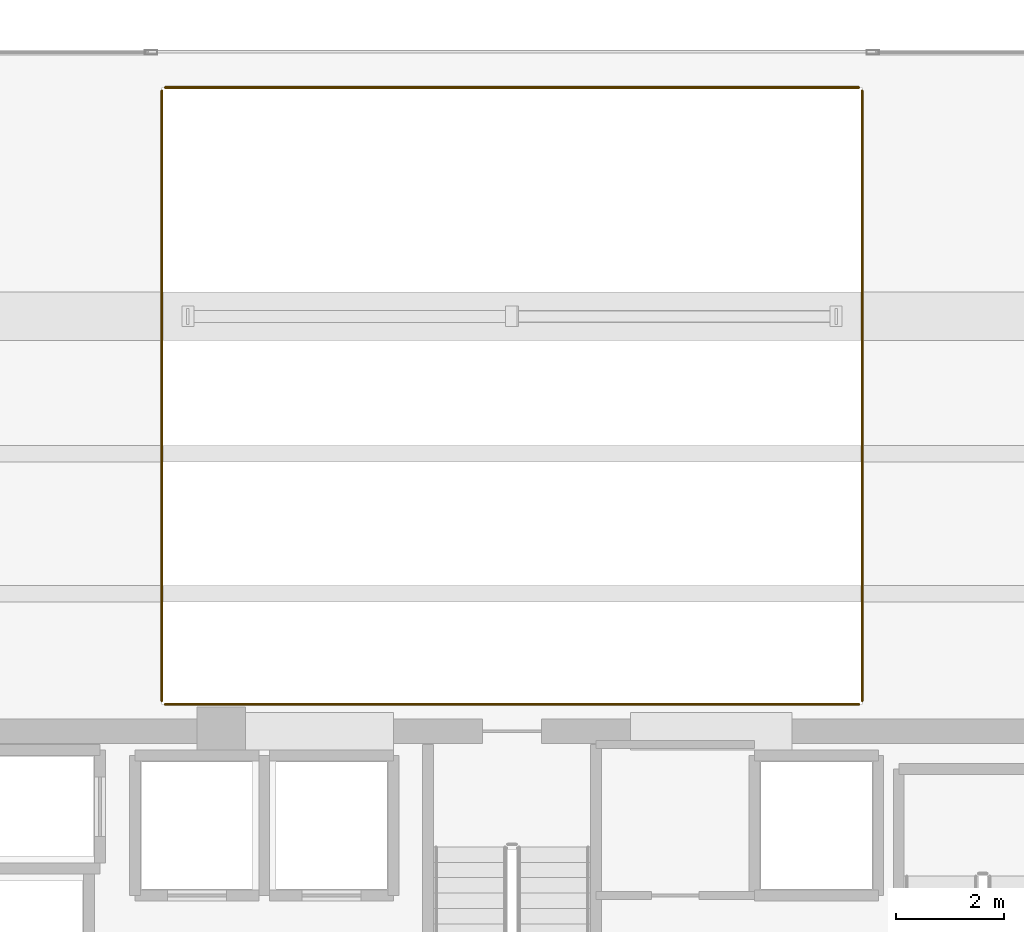
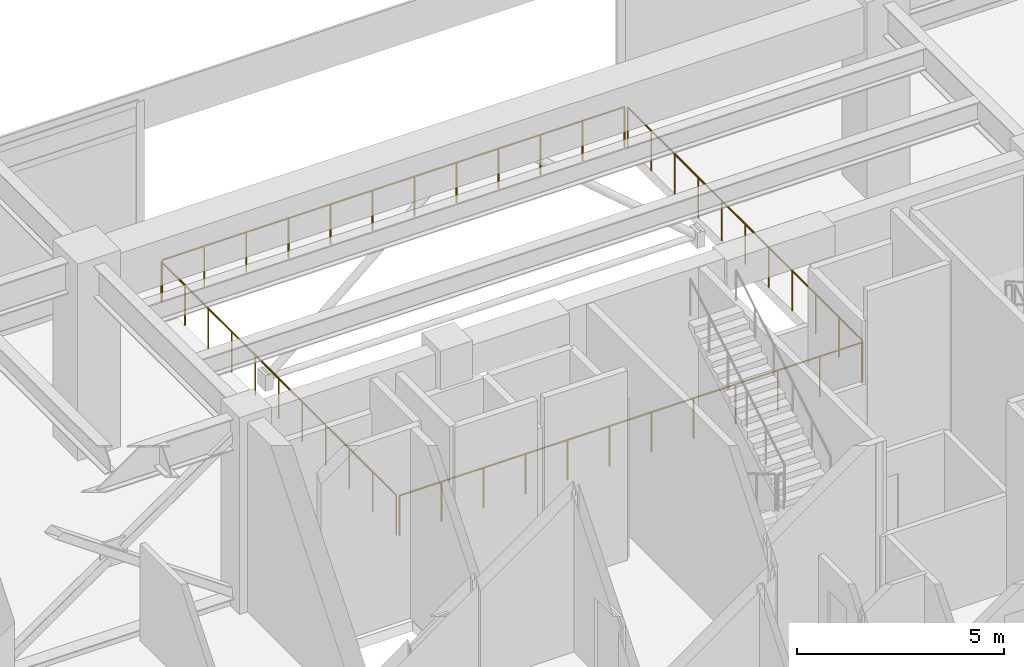
# One storey, part 26 of 26: 4 railings.
"""IFC4 building model written with IfcOpenShell, lengths in metres."""

from ifc_helpers import new_model, si_unit, direction, frame, origin, origin_2d, place, context, subcontext, project, spatial, circle, extrude, material, type_object, element, save


model = new_model("IFC4")

# Units and contexts
model_context = context("Model", 3, precision=1e-05, world=origin(), true_north=direction((0.0, 1.0)))
body_context = subcontext(model_context, "Body", "Model", "MODEL_VIEW")
ifc_project = project(units=[si_unit("LENGTHUNIT", "METRE"), si_unit("AREAUNIT", "SQUARE_METRE"), si_unit("VOLUMEUNIT", "CUBIC_METRE"), si_unit("PLANEANGLEUNIT", "RADIAN"), si_unit("MASSUNIT", "GRAM", prefix="KILO")], contexts=[model_context])

# Site, building, storey
site_placement = place(None, origin())
site = spatial("IfcSite", under=ifc_project, at=site_placement, CompositionType="ELEMENT")
building_placement = place(site_placement, origin())
building = spatial("IfcBuilding", under=site, at=building_placement, Name="Kovane Verandah Tower", CompositionType="ELEMENT")
storey_placement = place(building_placement, frame((0.0, 0.0, 301.0)))
storey = spatial("IfcBuildingStorey", under=building, at=storey_placement, Name="L70", CompositionType="ELEMENT", Elevation=301.0)

# Railings
ifc_material = material(Name="Pale-Champagne Stainless Steel and Glass Perimeter Guard", Category="steel")
railing_type = type_object("IfcRailingType", Name="RL-GDN-1200", PredefinedType="GUARDRAIL", material=ifc_material)
railing_1_placement = place(storey_placement, frame((33.56005859375, 37.0, 0.0)))
element("IfcRailing", 1, at=railing_1_placement, inside=storey, type_object=railing_type, Name="L70 Wind-Portal N Perimeter Guard S", PredefinedType="GUARDRAIL", context=body_context, shape_type="SweptSolid", body=[
    extrude(circle(Radius=0.02392578125, at=origin_2d()), frame((0.0, 0.0, 1.17578125), z_axis=(1.0, 0.0, 0.0), x_axis=(0.0, 1.0, 0.0)), (0.0, 0.0, 1.0), 12.8798828125),
    extrude(circle(Radius=0.02099609375, at=origin_2d()), origin(), (0.0, 0.0, 1.0), 1.15185546875),
    extrude(circle(Radius=0.02099609375, at=origin_2d()), frame((1.1708984375, 0.0, 0.0)), (0.0, 0.0, 1.0), 1.15185546875),
    extrude(circle(Radius=0.02099609375, at=origin_2d()), frame((2.341796875, 0.0, 0.0)), (0.0, 0.0, 1.0), 1.15185546875),
    extrude(circle(Radius=0.02099609375, at=origin_2d()), frame((3.5126953125, 0.0, 0.0)), (0.0, 0.0, 1.0), 1.15185546875),
    extrude(circle(Radius=0.02099609375, at=origin_2d()), frame((4.68359375, 0.0, 0.0)), (0.0, 0.0, 1.0), 1.15185546875),
    extrude(circle(Radius=0.02099609375, at=origin_2d()), frame((5.8544921875, 0.0, 0.0)), (0.0, 0.0, 1.0), 1.15185546875),
    extrude(circle(Radius=0.02099609375, at=origin_2d()), frame((7.025390625, 0.0, 0.0)), (0.0, 0.0, 1.0), 1.15185546875),
    extrude(circle(Radius=0.02099609375, at=origin_2d()), frame((8.1962890625, 0.0, 0.0)), (0.0, 0.0, 1.0), 1.15185546875),
    extrude(circle(Radius=0.02099609375, at=origin_2d()), frame((9.3671875, 0.0, 0.0)), (0.0, 0.0, 1.0), 1.15185546875),
    extrude(circle(Radius=0.02099609375, at=origin_2d()), frame((10.5380859375, 0.0, 0.0)), (0.0, 0.0, 1.0), 1.15185546875),
    extrude(circle(Radius=0.02099609375, at=origin_2d()), frame((11.708984375, 0.0, 0.0)), (0.0, 0.0, 1.0), 1.15185546875),
    extrude(circle(Radius=0.02099609375, at=origin_2d()), frame((12.8798828125, 0.0, 0.0)), (0.0, 0.0, 1.0), 1.15185546875),
])
railing_2_placement = place(storey_placement, frame((46.5, 37.06005859375, 0.0)))
element("IfcRailing", 2, at=railing_2_placement, inside=storey, type_object=railing_type, Name="L70 Wind-Portal N Perimeter Guard E", PredefinedType="GUARDRAIL", context=body_context, shape_type="SweptSolid", body=[
    extrude(circle(Radius=0.02392578125, at=origin_2d()), frame((0.0, 0.0, 1.17578125), z_axis=(0.0, 1.0, 0.0), x_axis=(-1.0, 0.0, 0.0)), (0.0, 0.0, 1.0), 11.329833984375),
    extrude(circle(Radius=0.02099609375, at=origin_2d()), origin(), (0.0, 0.0, 1.0), 1.15185546875),
    extrude(circle(Radius=0.02099609375, at=origin_2d()), frame((0.0, 1.133056640625, 0.0)), (0.0, 0.0, 1.0), 1.15185546875),
    extrude(circle(Radius=0.02099609375, at=origin_2d()), frame((0.0, 2.265869140625, 0.0)), (0.0, 0.0, 1.0), 1.15185546875),
    extrude(circle(Radius=0.02099609375, at=origin_2d()), frame((0.0, 3.39892578125, 0.0)), (0.0, 0.0, 1.0), 1.15185546875),
    extrude(circle(Radius=0.02099609375, at=origin_2d()), frame((0.0, 4.531982421875, 0.0)), (0.0, 0.0, 1.0), 1.15185546875),
    extrude(circle(Radius=0.02099609375, at=origin_2d()), frame((0.0, 5.6650390625, 0.0)), (0.0, 0.0, 1.0), 1.15185546875),
    extrude(circle(Radius=0.02099609375, at=origin_2d()), frame((0.0, 6.7978515625, 0.0)), (0.0, 0.0, 1.0), 1.15185546875),
    extrude(circle(Radius=0.02099609375, at=origin_2d()), frame((0.0, 7.930908203125, 0.0)), (0.0, 0.0, 1.0), 1.15185546875),
    extrude(circle(Radius=0.02099609375, at=origin_2d()), frame((0.0, 9.06396484375, 0.0)), (0.0, 0.0, 1.0), 1.15185546875),
    extrude(circle(Radius=0.02099609375, at=origin_2d()), frame((0.0, 10.19677734375, 0.0)), (0.0, 0.0, 1.0), 1.15185546875),
    extrude(circle(Radius=0.02099609375, at=origin_2d()), frame((0.0, 11.329833984375, 0.0)), (0.0, 0.0, 1.0), 1.15185546875),
])
railing_3_placement = place(storey_placement, frame((46.43994140625, 48.449951171875, 0.0)))
element("IfcRailing", 3, at=railing_3_placement, inside=storey, type_object=railing_type, Name="L70 Wind-Portal N Perimeter Guard N", PredefinedType="GUARDRAIL", context=body_context, shape_type="SweptSolid", body=[
    extrude(circle(Radius=0.02392578125, at=origin_2d()), frame((0.0, 0.0, 1.17578125), z_axis=(-1.0, 0.0, 0.0), x_axis=(0.0, -1.0, 0.0)), (0.0, 0.0, 1.0), 12.8798828125),
    extrude(circle(Radius=0.02099609375, at=origin_2d()), origin(), (0.0, 0.0, 1.0), 1.15185546875),
    extrude(circle(Radius=0.02099609375, at=origin_2d()), frame((-1.1708984375, 0.0, 0.0)), (0.0, 0.0, 1.0), 1.15185546875),
    extrude(circle(Radius=0.02099609375, at=origin_2d()), frame((-2.341796875, 0.0, 0.0)), (0.0, 0.0, 1.0), 1.15185546875),
    extrude(circle(Radius=0.02099609375, at=origin_2d()), frame((-3.5126953125, 0.0, 0.0)), (0.0, 0.0, 1.0), 1.15185546875),
    extrude(circle(Radius=0.02099609375, at=origin_2d()), frame((-4.68359375, 0.0, 0.0)), (0.0, 0.0, 1.0), 1.15185546875),
    extrude(circle(Radius=0.02099609375, at=origin_2d()), frame((-5.8544921875, 0.0, 0.0)), (0.0, 0.0, 1.0), 1.15185546875),
    extrude(circle(Radius=0.02099609375, at=origin_2d()), frame((-7.025390625, 0.0, 0.0)), (0.0, 0.0, 1.0), 1.15185546875),
    extrude(circle(Radius=0.02099609375, at=origin_2d()), frame((-8.1962890625, 0.0, 0.0)), (0.0, 0.0, 1.0), 1.15185546875),
    extrude(circle(Radius=0.02099609375, at=origin_2d()), frame((-9.3671875, 0.0, 0.0)), (0.0, 0.0, 1.0), 1.15185546875),
    extrude(circle(Radius=0.02099609375, at=origin_2d()), frame((-10.5380859375, 0.0, 0.0)), (0.0, 0.0, 1.0), 1.15185546875),
    extrude(circle(Radius=0.02099609375, at=origin_2d()), frame((-11.708984375, 0.0, 0.0)), (0.0, 0.0, 1.0), 1.15185546875),
    extrude(circle(Radius=0.02099609375, at=origin_2d()), frame((-12.8798828125, 0.0, 0.0)), (0.0, 0.0, 1.0), 1.15185546875),
])
railing_4_placement = place(storey_placement, frame((33.5, 48.389892578125, 0.0)))
element("IfcRailing", 4, at=railing_4_placement, inside=storey, type_object=railing_type, Name="L70 Wind-Portal N Perimeter Guard W", PredefinedType="GUARDRAIL", context=body_context, shape_type="SweptSolid", body=[
    extrude(circle(Radius=0.02392578125, at=origin_2d()), frame((0.0, 0.0, 1.17578125), z_axis=(0.0, -1.0, 0.0), x_axis=(1.0, 0.0, 0.0)), (0.0, 0.0, 1.0), 11.329833984375),
    extrude(circle(Radius=0.02099609375, at=origin_2d()), origin(), (0.0, 0.0, 1.0), 1.15185546875),
    extrude(circle(Radius=0.02099609375, at=origin_2d()), frame((0.0, -1.133056640625, 0.0)), (0.0, 0.0, 1.0), 1.15185546875),
    extrude(circle(Radius=0.02099609375, at=origin_2d()), frame((0.0, -2.265869140625, 0.0)), (0.0, 0.0, 1.0), 1.15185546875),
    extrude(circle(Radius=0.02099609375, at=origin_2d()), frame((0.0, -3.39892578125, 0.0)), (0.0, 0.0, 1.0), 1.15185546875),
    extrude(circle(Radius=0.02099609375, at=origin_2d()), frame((0.0, -4.531982421875, 0.0)), (0.0, 0.0, 1.0), 1.15185546875),
    extrude(circle(Radius=0.02099609375, at=origin_2d()), frame((0.0, -5.6650390625, 0.0)), (0.0, 0.0, 1.0), 1.15185546875),
    extrude(circle(Radius=0.02099609375, at=origin_2d()), frame((0.0, -6.7978515625, 0.0)), (0.0, 0.0, 1.0), 1.15185546875),
    extrude(circle(Radius=0.02099609375, at=origin_2d()), frame((0.0, -7.930908203125, 0.0)), (0.0, 0.0, 1.0), 1.15185546875),
    extrude(circle(Radius=0.02099609375, at=origin_2d()), frame((0.0, -9.06396484375, 0.0)), (0.0, 0.0, 1.0), 1.15185546875),
    extrude(circle(Radius=0.02099609375, at=origin_2d()), frame((0.0, -10.19677734375, 0.0)), (0.0, 0.0, 1.0), 1.15185546875),
    extrude(circle(Radius=0.02099609375, at=origin_2d()), frame((0.0, -11.329833984375, 0.0)), (0.0, 0.0, 1.0), 1.15185546875),
])

save(model, "model.ifc")
